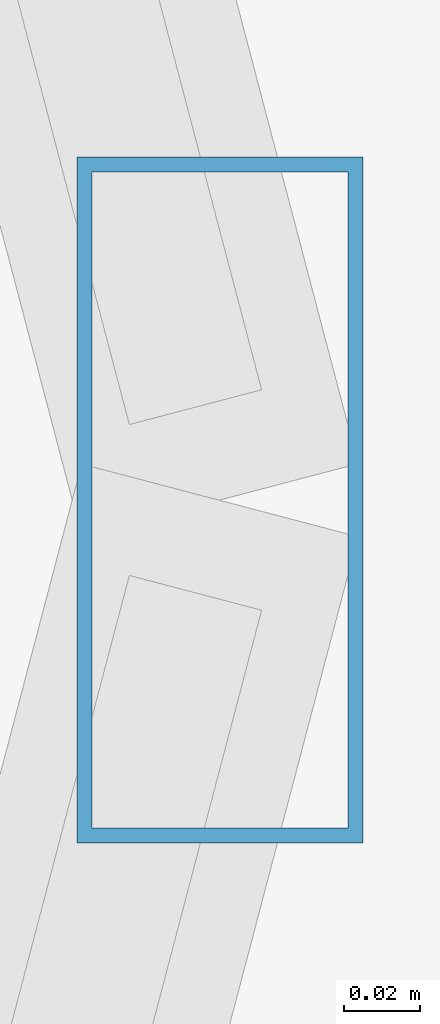
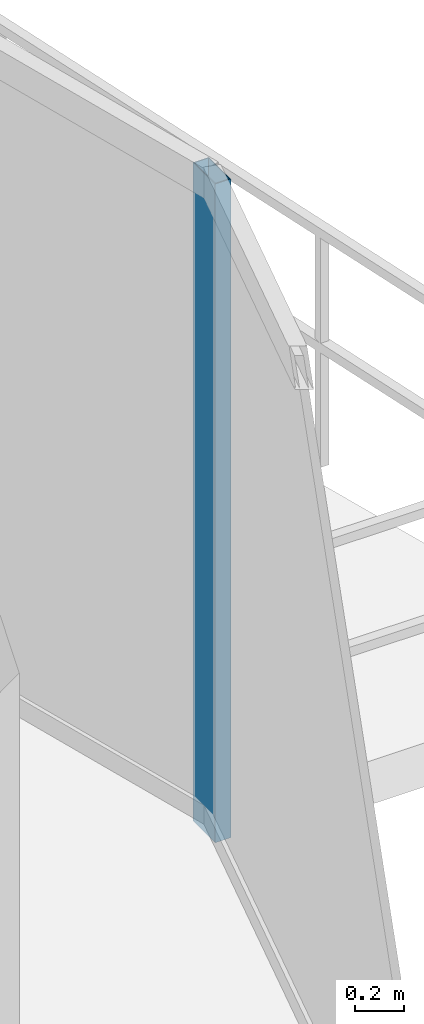
# One storey, part 13 of 30: 1 member, 1 element without a shape of its own.
"""IFC4 building model written with IfcOpenShell, lengths in metres."""

from ifc_helpers import new_model, si_unit, direction, frame, origin, origin_2d, place, context, subcontext, project, spatial, hollow_rectangle, extrude, material, material_profile, profile_set, type_object, element, aggregate, save


model = new_model("IFC4")

# Units and contexts
model_context = context("Model", 3, precision=1e-05, world=origin(), true_north=direction((0.0, 1.0)))
body_context = subcontext(model_context, "Body", "Model", "MODEL_VIEW")
ifc_project = project(units=[si_unit("LENGTHUNIT", "METRE"), si_unit("AREAUNIT", "SQUARE_METRE"), si_unit("VOLUMEUNIT", "CUBIC_METRE"), si_unit("PLANEANGLEUNIT", "RADIAN"), si_unit("MASSUNIT", "GRAM", prefix="KILO")], contexts=[model_context])

# Site, building, storey
site_placement = place(None, origin())
site = spatial("IfcSite", under=ifc_project, at=site_placement, CompositionType="ELEMENT")
building_placement = place(site_placement, origin())
building = spatial("IfcBuilding", under=site, at=building_placement, Name="Vorneva Point Tower", CompositionType="ELEMENT")
storey_placement = place(building_placement, frame((0.0, 0.0, 41.5)))
storey = spatial("IfcBuildingStorey", under=building, at=storey_placement, Name="L10", CompositionType="ELEMENT", Elevation=41.5)

# Curtain wall, member
ifc_material = material(Name="Pale anodised aluminium", Category="aluminium")
curtain_wall_type = type_object("IfcCurtainWallType", Name="CW-HTL-SYS", PredefinedType="NOTDEFINED", material=ifc_material)
curtain_wall_placement = place(storey_placement, origin())
curtain_wall = element("IfcCurtainWall", 1, at=curtain_wall_placement, inside=storey, type_object=curtain_wall_type, Name="L10 Unitised Curtain Wall CW-L10-R01", PredefinedType="NOTDEFINED")
ifc_material_profile = material_profile(ifc_material, hollow_rectangle(XDim=0.074951171875, YDim=0.179931640625, WallThickness=0.00390625, at=origin_2d()), Name="AL-MUL 180x75x4")
ifc_profile_set = profile_set([ifc_material_profile], Name="Pale anodised aluminium")
member_type = type_object("IfcMemberType", Name="CW-MUL-180", PredefinedType="MULLION", material=ifc_profile_set)
member_placement = place(storey_placement, frame((67.550048828125, 26.0, -0.0400390625), z_axis=(0.0, 0.0, 1.0), x_axis=(1.0, 0.0, 0.0)))
member = element("IfcMember", 2, at=member_placement, type_object=member_type, Name="CW-L10-R01 Mullion 03", PredefinedType="MULLION", context=body_context, shape_type="SweptSolid", body=[
    extrude(hollow_rectangle(XDim=0.074951171875, YDim=0.179931640625, WallThickness=0.00390625, at=origin_2d()), origin(), (0.0, 0.0, 1.0), 3.31005859375),
])
aggregate(curtain_wall, [member])

save(model, "model.ifc")
